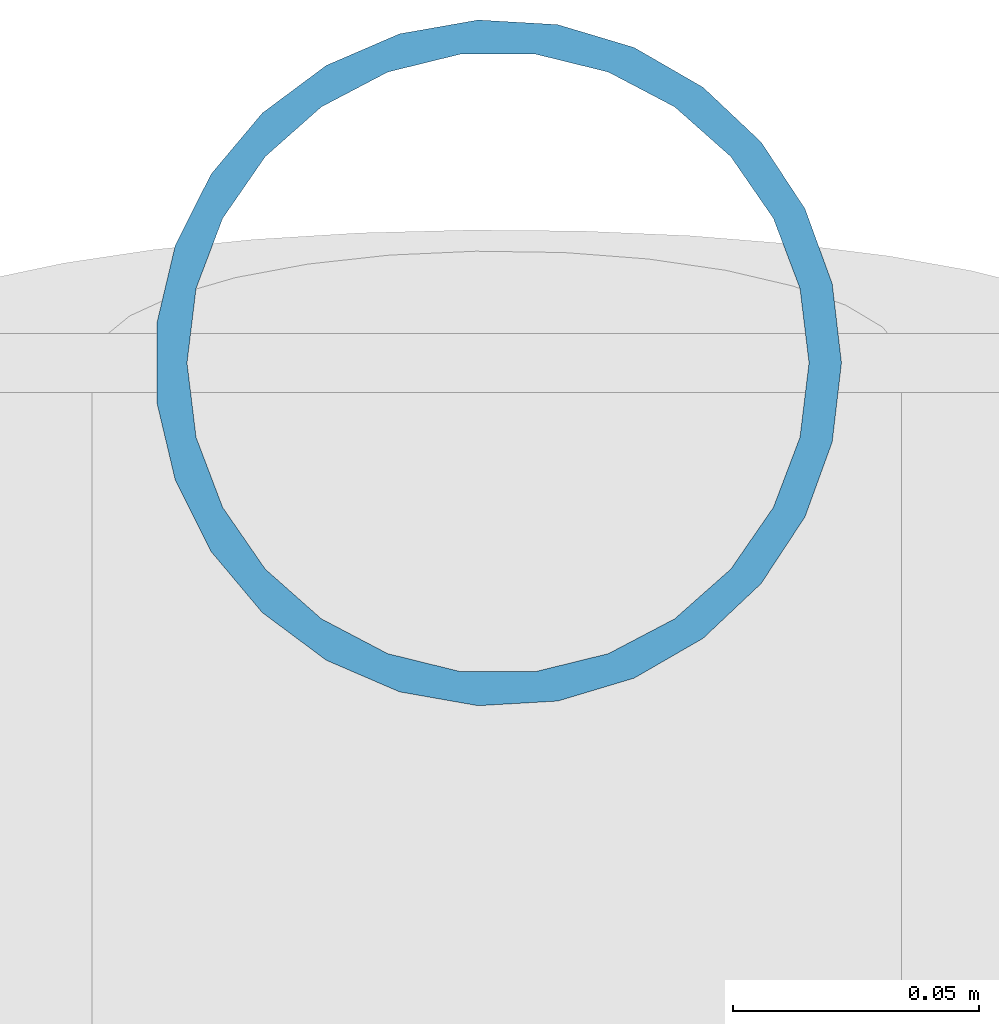
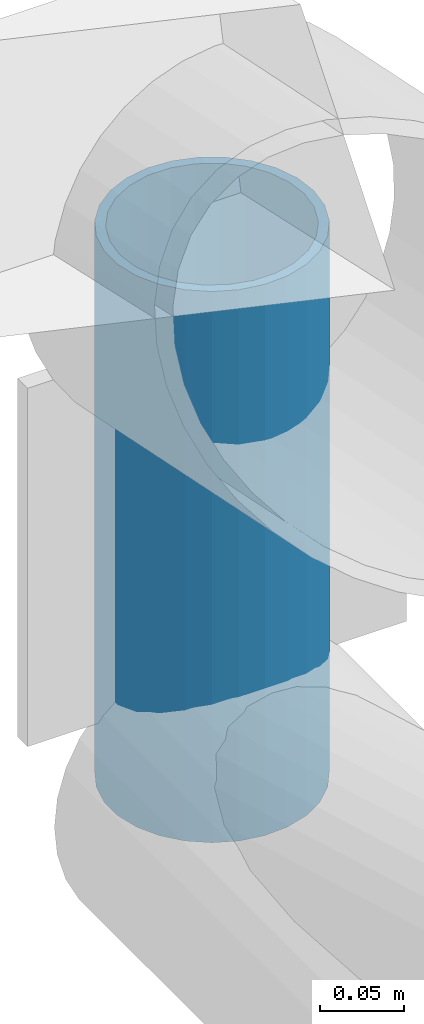
# One storey, part 154 of 194: 1 member.
"""IFC4 building model written with IfcOpenShell, lengths in metres."""

import ifcopenshell
import ifcopenshell.guid

model = None  # the IFC model being written
_history = None  # IfcOwnerHistory: only IFC2X3 demands one
_inside = {}  # id of a spatial element -> (the spatial element, [elements in it])
_under = {}  # id of a project, library or spatial element -> (it, [spatial elements below it])
_declared = {}  # id of a project -> (the project, [libraries it declares])
_typed = {}  # id of a type object -> (the type object, [elements of that type])
_made_of = {}  # id of a material, layer set ... -> (it, [elements and type objects made of it])


def new_model(schema):
    """Start an empty IFC model of exactly this schema.

    Asked for "IFC4X3", IfcOpenShell would pick the latest addendum, in which some entities
    have other attributes; the version numbers below select the first issue.
    IFC2X3 requires an IfcOwnerHistory on every rooted entity: one is made here for all.
    """
    global model, _history
    if schema == "IFC4X3":
        model = ifcopenshell.file(schema_version=(4, 3, 0, 0))
    else:
        model = ifcopenshell.file(schema=schema)
    _inside.clear()
    _under.clear()
    _declared.clear()
    _typed.clear()
    _made_of.clear()
    _history = None
    if model.schema == "IFC2X3":
        org = make("IfcOrganization", Name="unknown")
        user = make(
            "IfcPersonAndOrganization",
            ThePerson=make("IfcPerson", FamilyName="unknown"),
            TheOrganization=org,
        )
        app = make(
            "IfcApplication",
            ApplicationDeveloper=org,
            Version="unknown",
            ApplicationFullName="unknown",
            ApplicationIdentifier="unknown",
        )
        _history = make(
            "IfcOwnerHistory",
            OwningUser=user,
            OwningApplication=app,
            ChangeAction="ADDED",
            CreationDate=0,
        )
    return model


def make(cls, **values):
    """One entity of the class cls with the attributes given. An attribute that is None is left unset."""
    return model.create_entity(
        cls, **{name: value for name, value in values.items() if value is not None}
    )


def rooted(cls, **values):
    """An entity with a GlobalId (a new one), such as an element, a storey or a relation."""
    return make(cls, GlobalId=ifcopenshell.guid.new(), OwnerHistory=_history, **values)


def si_unit(unit_type, name, prefix=None):
    """IfcSIUnit, for example si_unit("LENGTHUNIT", "METRE", prefix="MILLI")."""
    return make("IfcSIUnit", UnitType=unit_type, Prefix=prefix, Name=name)


def assignment(units):
    """IfcUnitAssignment: the units of a project."""
    return None if units is None else make("IfcUnitAssignment", Units=units)


def point(xyz):
    """IfcCartesianPoint."""
    return None if xyz is None else make("IfcCartesianPoint", Coordinates=xyz)


def direction(xyz):
    """IfcDirection."""
    return None if xyz is None else make("IfcDirection", DirectionRatios=xyz)


def frame(location, z_axis=None, x_axis=None):
    """IfcAxis2Placement3D, a coordinate frame: its origin and axes. An axis left out is left unset."""
    return make(
        "IfcAxis2Placement3D",
        Location=point(location),
        Axis=direction(z_axis),
        RefDirection=direction(x_axis),
    )


def frame_2d(location, x_axis=None):
    """IfcAxis2Placement2D, a coordinate frame in the plane: its origin and x axis."""
    return make(
        "IfcAxis2Placement2D", Location=point(location), RefDirection=direction(x_axis)
    )


def origin():
    """The frame at (0, 0, 0) with its axes left unset."""
    return frame((0.0, 0.0, 0.0))


def origin_2d():
    """The frame at (0, 0) in the plane with its x axis left unset."""
    return frame_2d((0.0, 0.0))


def place(relative_to, where):
    """IfcLocalPlacement: puts the frame where relative to a parent placement (None: the world)."""
    return make(
        "IfcLocalPlacement", PlacementRelTo=relative_to, RelativePlacement=where
    )


def context(
    kind, dimensions, precision=None, world=None, true_north=None, identifier=None
):
    """IfcGeometricRepresentationContext, for example the 3D "Model" context."""
    return make(
        "IfcGeometricRepresentationContext",
        ContextIdentifier=identifier,
        ContextType=kind,
        CoordinateSpaceDimension=dimensions,
        Precision=precision,
        WorldCoordinateSystem=world,
        TrueNorth=true_north,
    )


def subcontext(parent, identifier, kind, view, scale=None):
    """IfcGeometricRepresentationSubContext, for example "Body" below "Model"."""
    return make(
        "IfcGeometricRepresentationSubContext",
        ContextIdentifier=identifier,
        ContextType=kind,
        ParentContext=parent,
        TargetScale=scale,
        TargetView=view,
    )


def project(units=None, contexts=None):
    """IfcProject with its units and contexts."""
    return rooted(
        "IfcProject",
        Name="project",
        RepresentationContexts=contexts,
        UnitsInContext=assignment(units),
    )


def spatial(cls, under=None, at=None, **own):
    """A site, building, storey or space (cls), placed at a placement, below another one or the project."""
    s = rooted(cls, ObjectPlacement=at, **own)
    if under is not None:
        _under.setdefault(under.id(), (under, []))[1].append(s)
    return s


def profile(cls, at=None, kind="AREA", **sizes):
    """A parametric profile (cls). Its sizes go by their IFC names, for example OverallWidth=200.0."""
    return make(cls, ProfileType=kind, Position=at, **sizes)


def hollow_circle(**sizes):
    """IfcCircleHollowProfileDef."""
    return profile("IfcCircleHollowProfileDef", **sizes)


def extrude(swept, where, along, depth):
    """IfcExtrudedAreaSolid: the profile swept, set in the frame where, extruded along a direction by depth."""
    return make(
        "IfcExtrudedAreaSolid",
        SweptArea=swept,
        Position=where,
        ExtrudedDirection=direction(along),
        Depth=depth,
    )


def shape(context_of_items, identifier, shape_type, items):
    """IfcShapeRepresentation: the items that make up one representation, for example the "Body"."""
    return make(
        "IfcShapeRepresentation",
        ContextOfItems=context_of_items,
        RepresentationIdentifier=identifier,
        RepresentationType=shape_type,
        Items=items,
    )


def material(Name=None, Category=None):
    """IfcMaterial."""
    return make("IfcMaterial", Name=Name, Category=Category)


def material_profile(
    of_material, cross_section, Name=None, Category=None, Priority=None
):
    """IfcMaterialProfile: a cross section and its material."""
    return make(
        "IfcMaterialProfile",
        Name=Name,
        Material=of_material,
        Profile=cross_section,
        Priority=Priority,
        Category=Category,
    )


def profile_set(profiles, Name=None, composite=None):
    """IfcMaterialProfileSet."""
    return make(
        "IfcMaterialProfileSet",
        Name=Name,
        MaterialProfiles=profiles,
        CompositeProfile=composite,
    )


def made_of(thing, what):
    """Note that an element or type object is made of a material, layer set ...; save() writes the relation."""
    if what is not None:
        _made_of.setdefault(what.id(), (what, []))[1].append(thing)
    return thing


def type_object(cls, material=None, **own):
    """A type object (cls), such as IfcWallType, which elements share."""
    return made_of(rooted(cls, **own), material)


def element(
    cls,
    number,
    at=None,
    inside=None,
    cuts=None,
    type_object=None,
    material=None,
    context=None,
    identifier="Body",
    shape_type=None,
    held_by="IfcProductDefinitionShape",
    body=None,
    shapes=None,
    **own,
):
    """One element of the class cls, such as IfcWall. Its Tag is "e" and its number.

    at: its placement. inside: the storey or other place that contains it. cuts: it is an
    opening in that element (IfcRelVoidsElement). A single representation is given by context,
    identifier, shape_type and body (its items); several are given by shapes. held_by: the class
    of the entity that holds the representations. save() writes the other relations.
    """
    e = rooted(cls, Tag="e%d" % number, ObjectPlacement=at, **own)
    if body is not None:
        shapes = [shape(context, identifier, shape_type, body)]
    if shapes is not None:
        e.Representation = make(held_by, Representations=shapes)
    if inside is not None:
        _inside.setdefault(inside.id(), (inside, []))[1].append(e)
    if cuts is not None:
        rooted(
            "IfcRelVoidsElement", RelatingBuildingElement=cuts, RelatedOpeningElement=e
        )
    if type_object is not None:
        _typed.setdefault(type_object.id(), (type_object, []))[1].append(e)
    return made_of(e, material)


def aggregate(whole, parts):
    """IfcRelAggregates: a whole, such as a stair, and the parts it consists of."""
    return rooted("IfcRelAggregates", RelatingObject=whole, RelatedObjects=parts)


def save(model, path):
    """Write the relations noted so far, then the file.

    IfcRelAggregates (storeys below a building ...), IfcRelContainedInSpatialStructure (elements
    in a storey), IfcRelDefinesByType, IfcRelAssociatesMaterial and IfcRelDeclares: one each for
    every whole, place, type object, material and project.
    """
    for whole, parts in _under.values():
        aggregate(whole, parts)
    for where, things in _inside.values():
        rooted(
            "IfcRelContainedInSpatialStructure",
            RelatedElements=things,
            RelatingStructure=where,
        )
    for kind, things in _typed.values():
        rooted("IfcRelDefinesByType", RelatedObjects=things, RelatingType=kind)
    for what, things in _made_of.values():
        rooted("IfcRelAssociatesMaterial", RelatedObjects=things, RelatingMaterial=what)
    for by, libraries in _declared.values():
        rooted("IfcRelDeclares", RelatingContext=by, RelatedDefinitions=libraries)
    model.write(path)


model = new_model("IFC4")

# Units and contexts
model_context = context("Model", 3, precision=1e-05, world=origin(), true_north=direction((0.0, 1.0)))
body_context = subcontext(model_context, "Body", "Model", "MODEL_VIEW")
ifc_project = project(units=[si_unit("LENGTHUNIT", "METRE"), si_unit("AREAUNIT", "SQUARE_METRE"), si_unit("VOLUMEUNIT", "CUBIC_METRE"), si_unit("PLANEANGLEUNIT", "RADIAN"), si_unit("MASSUNIT", "GRAM", prefix="KILO")], contexts=[model_context])

# Site, building, storey
site_placement = place(None, origin())
site = spatial("IfcSite", under=ifc_project, at=site_placement, CompositionType="ELEMENT")
building_placement = place(site_placement, origin())
building = spatial("IfcBuilding", under=site, at=building_placement, Name="Kazenagashi Tramway Depot", CompositionType="ELEMENT")
storey_placement = place(building_placement, frame((0.0, 0.0, 23.7)))
storey = spatial("IfcBuildingStorey", under=building, at=storey_placement, Name="ROOF", CompositionType="ELEMENT", Elevation=23.7)

# Member
ifc_material = material(Name="Steel STK490", Category="steel")
ifc_material_profile = material_profile(ifc_material, hollow_circle(Radius=0.0699, WallThickness=0.0066, at=origin_2d()), Name="CHS-139.8x6.6")
ifc_profile_set = profile_set([ifc_material_profile], Name="Steel STK490")
member_type = type_object("IfcMemberType", Name="TS-02", PredefinedType="STRUT", material=ifc_profile_set)
member_placement = place(storey_placement, frame((196.0, 130.0, -14.1), z_axis=(0.0, 0.0, 1.0), x_axis=(1.0, 0.0, 0.0)))
element("IfcMember", 1, at=member_placement, inside=storey, type_object=member_type, Name="Tubular Space Frame TS-02 MEM-1147", PredefinedType="STRUT", context=body_context, shape_type="SweptSolid", body=[
    extrude(hollow_circle(Radius=0.0699, WallThickness=0.0066, at=origin_2d()), origin(), (0.0, 0.0, 1.0), 0.4),
])

save(model, "model.ifc")
